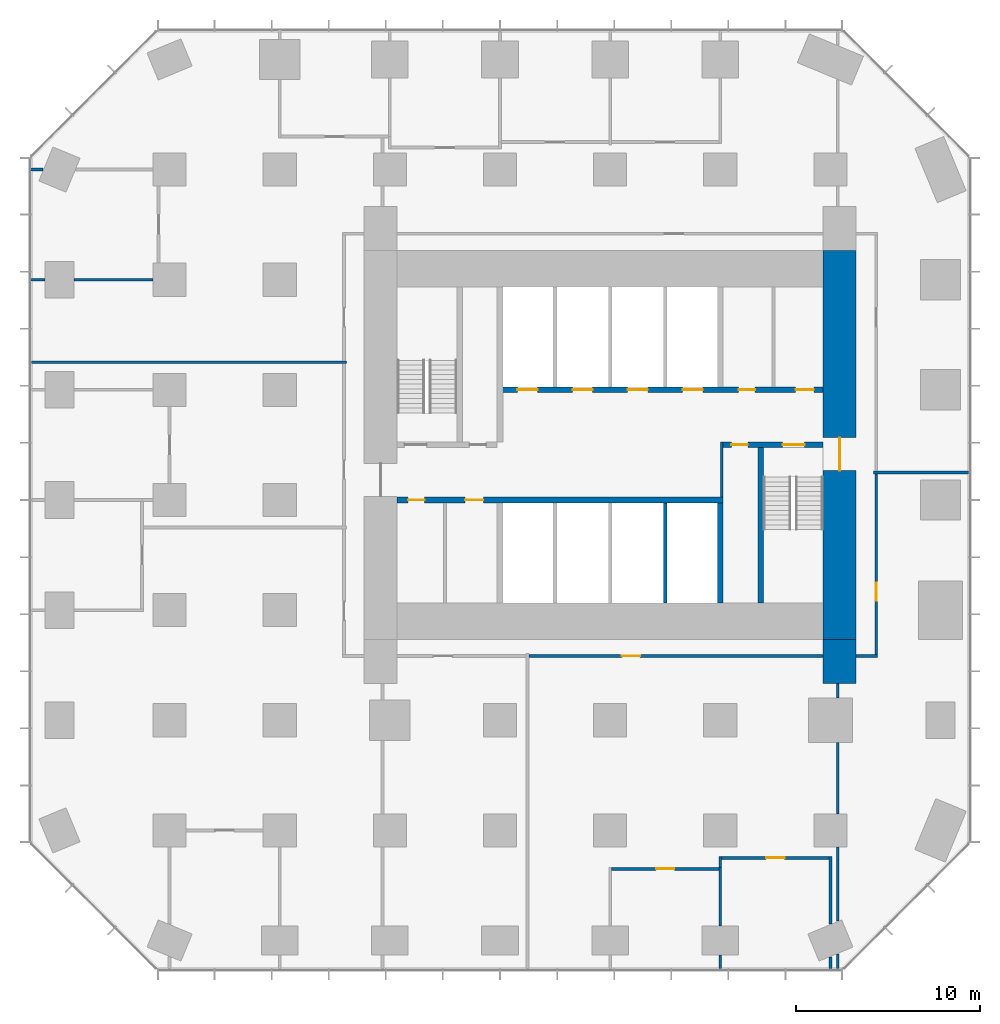
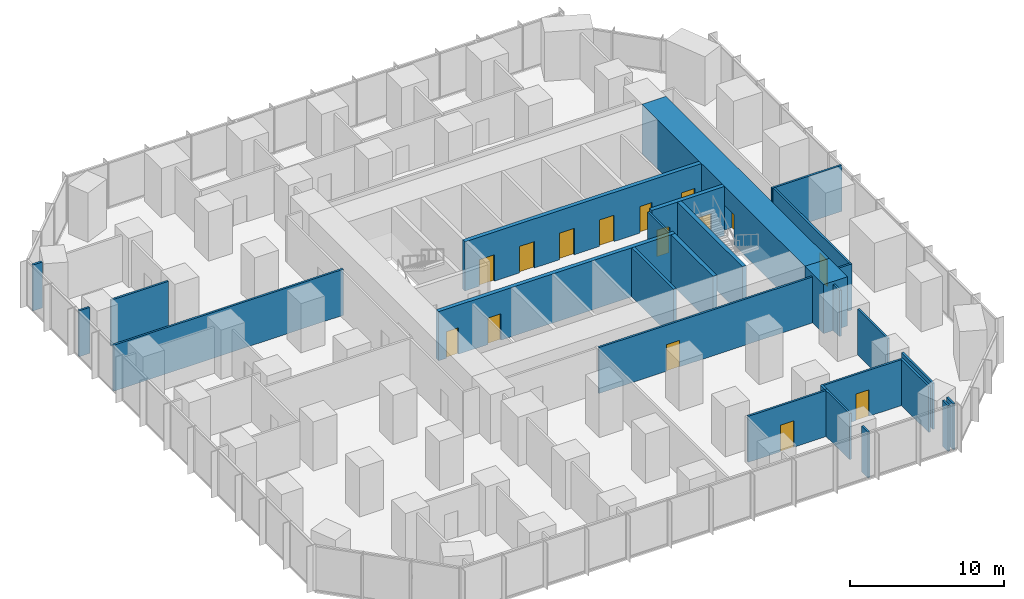
# One storey, part 9 of 12: 28 walls, 15 doors, 15 openings.
"""IFC4 building model written with IfcOpenShell, lengths in metres."""

import ifcopenshell
import ifcopenshell.guid

model = None  # the IFC model being written
_history = None  # IfcOwnerHistory: only IFC2X3 demands one
_inside = {}  # id of a spatial element -> (the spatial element, [elements in it])
_under = {}  # id of a project, library or spatial element -> (it, [spatial elements below it])
_declared = {}  # id of a project -> (the project, [libraries it declares])
_typed = {}  # id of a type object -> (the type object, [elements of that type])
_made_of = {}  # id of a material, layer set ... -> (it, [elements and type objects made of it])


def new_model(schema):
    """Start an empty IFC model of exactly this schema.

    Asked for "IFC4X3", IfcOpenShell would pick the latest addendum, in which some entities
    have other attributes; the version numbers below select the first issue.
    IFC2X3 requires an IfcOwnerHistory on every rooted entity: one is made here for all.
    """
    global model, _history
    if schema == "IFC4X3":
        model = ifcopenshell.file(schema_version=(4, 3, 0, 0))
    else:
        model = ifcopenshell.file(schema=schema)
    _inside.clear()
    _under.clear()
    _declared.clear()
    _typed.clear()
    _made_of.clear()
    _history = None
    if model.schema == "IFC2X3":
        org = make("IfcOrganization", Name="unknown")
        user = make(
            "IfcPersonAndOrganization",
            ThePerson=make("IfcPerson", FamilyName="unknown"),
            TheOrganization=org,
        )
        app = make(
            "IfcApplication",
            ApplicationDeveloper=org,
            Version="unknown",
            ApplicationFullName="unknown",
            ApplicationIdentifier="unknown",
        )
        _history = make(
            "IfcOwnerHistory",
            OwningUser=user,
            OwningApplication=app,
            ChangeAction="ADDED",
            CreationDate=0,
        )
    return model


def make(cls, **values):
    """One entity of the class cls with the attributes given. An attribute that is None is left unset."""
    return model.create_entity(
        cls, **{name: value for name, value in values.items() if value is not None}
    )


def rooted(cls, **values):
    """An entity with a GlobalId (a new one), such as an element, a storey or a relation."""
    return make(cls, GlobalId=ifcopenshell.guid.new(), OwnerHistory=_history, **values)


def si_unit(unit_type, name, prefix=None):
    """IfcSIUnit, for example si_unit("LENGTHUNIT", "METRE", prefix="MILLI")."""
    return make("IfcSIUnit", UnitType=unit_type, Prefix=prefix, Name=name)


def assignment(units):
    """IfcUnitAssignment: the units of a project."""
    return None if units is None else make("IfcUnitAssignment", Units=units)


def point(xyz):
    """IfcCartesianPoint."""
    return None if xyz is None else make("IfcCartesianPoint", Coordinates=xyz)


def direction(xyz):
    """IfcDirection."""
    return None if xyz is None else make("IfcDirection", DirectionRatios=xyz)


def frame(location, z_axis=None, x_axis=None):
    """IfcAxis2Placement3D, a coordinate frame: its origin and axes. An axis left out is left unset."""
    return make(
        "IfcAxis2Placement3D",
        Location=point(location),
        Axis=direction(z_axis),
        RefDirection=direction(x_axis),
    )


def frame_2d(location, x_axis=None):
    """IfcAxis2Placement2D, a coordinate frame in the plane: its origin and x axis."""
    return make(
        "IfcAxis2Placement2D", Location=point(location), RefDirection=direction(x_axis)
    )


def origin():
    """The frame at (0, 0, 0) with its axes left unset."""
    return frame((0.0, 0.0, 0.0))


def place(relative_to, where):
    """IfcLocalPlacement: puts the frame where relative to a parent placement (None: the world)."""
    return make(
        "IfcLocalPlacement", PlacementRelTo=relative_to, RelativePlacement=where
    )


def context(
    kind, dimensions, precision=None, world=None, true_north=None, identifier=None
):
    """IfcGeometricRepresentationContext, for example the 3D "Model" context."""
    return make(
        "IfcGeometricRepresentationContext",
        ContextIdentifier=identifier,
        ContextType=kind,
        CoordinateSpaceDimension=dimensions,
        Precision=precision,
        WorldCoordinateSystem=world,
        TrueNorth=true_north,
    )


def subcontext(parent, identifier, kind, view, scale=None):
    """IfcGeometricRepresentationSubContext, for example "Body" below "Model"."""
    return make(
        "IfcGeometricRepresentationSubContext",
        ContextIdentifier=identifier,
        ContextType=kind,
        ParentContext=parent,
        TargetScale=scale,
        TargetView=view,
    )


def project(units=None, contexts=None):
    """IfcProject with its units and contexts."""
    return rooted(
        "IfcProject",
        Name="project",
        RepresentationContexts=contexts,
        UnitsInContext=assignment(units),
    )


def spatial(cls, under=None, at=None, **own):
    """A site, building, storey or space (cls), placed at a placement, below another one or the project."""
    s = rooted(cls, ObjectPlacement=at, **own)
    if under is not None:
        _under.setdefault(under.id(), (under, []))[1].append(s)
    return s


def profile(cls, at=None, kind="AREA", **sizes):
    """A parametric profile (cls). Its sizes go by their IFC names, for example OverallWidth=200.0."""
    return make(cls, ProfileType=kind, Position=at, **sizes)


def rectangle(**sizes):
    """IfcRectangleProfileDef."""
    return profile("IfcRectangleProfileDef", **sizes)


def extrude(swept, where, along, depth):
    """IfcExtrudedAreaSolid: the profile swept, set in the frame where, extruded along a direction by depth."""
    return make(
        "IfcExtrudedAreaSolid",
        SweptArea=swept,
        Position=where,
        ExtrudedDirection=direction(along),
        Depth=depth,
    )


def shape(context_of_items, identifier, shape_type, items):
    """IfcShapeRepresentation: the items that make up one representation, for example the "Body"."""
    return make(
        "IfcShapeRepresentation",
        ContextOfItems=context_of_items,
        RepresentationIdentifier=identifier,
        RepresentationType=shape_type,
        Items=items,
    )


def material(Name=None, Category=None):
    """IfcMaterial."""
    return make("IfcMaterial", Name=Name, Category=Category)


def layer(
    of_material, thickness, ventilated=None, Name=None, Category=None, Priority=None
):
    """IfcMaterialLayer: one layer of a wall or slab, of a material (None: an air gap)."""
    return make(
        "IfcMaterialLayer",
        Material=of_material,
        LayerThickness=thickness,
        IsVentilated=ventilated,
        Name=Name,
        Category=Category,
        Priority=Priority,
    )


def layer_set(layers, Name=None):
    """IfcMaterialLayerSet."""
    return make("IfcMaterialLayerSet", MaterialLayers=layers, LayerSetName=Name)


def made_of(thing, what):
    """Note that an element or type object is made of a material, layer set ...; save() writes the relation."""
    if what is not None:
        _made_of.setdefault(what.id(), (what, []))[1].append(thing)
    return thing


def type_object(cls, material=None, **own):
    """A type object (cls), such as IfcWallType, which elements share."""
    return made_of(rooted(cls, **own), material)


def element(
    cls,
    number,
    at=None,
    inside=None,
    cuts=None,
    type_object=None,
    material=None,
    context=None,
    identifier="Body",
    shape_type=None,
    held_by="IfcProductDefinitionShape",
    body=None,
    shapes=None,
    **own,
):
    """One element of the class cls, such as IfcWall. Its Tag is "e" and its number.

    at: its placement. inside: the storey or other place that contains it. cuts: it is an
    opening in that element (IfcRelVoidsElement). A single representation is given by context,
    identifier, shape_type and body (its items); several are given by shapes. held_by: the class
    of the entity that holds the representations. save() writes the other relations.
    """
    e = rooted(cls, Tag="e%d" % number, ObjectPlacement=at, **own)
    if body is not None:
        shapes = [shape(context, identifier, shape_type, body)]
    if shapes is not None:
        e.Representation = make(held_by, Representations=shapes)
    if inside is not None:
        _inside.setdefault(inside.id(), (inside, []))[1].append(e)
    if cuts is not None:
        rooted(
            "IfcRelVoidsElement", RelatingBuildingElement=cuts, RelatedOpeningElement=e
        )
    if type_object is not None:
        _typed.setdefault(type_object.id(), (type_object, []))[1].append(e)
    return made_of(e, material)


def fill(opening, filler):
    """IfcRelFillsElement: the door or window that sits in an opening."""
    return rooted(
        "IfcRelFillsElement",
        RelatingOpeningElement=opening,
        RelatedBuildingElement=filler,
    )


def aggregate(whole, parts):
    """IfcRelAggregates: a whole, such as a stair, and the parts it consists of."""
    return rooted("IfcRelAggregates", RelatingObject=whole, RelatedObjects=parts)


def save(model, path):
    """Write the relations noted so far, then the file.

    IfcRelAggregates (storeys below a building ...), IfcRelContainedInSpatialStructure (elements
    in a storey), IfcRelDefinesByType, IfcRelAssociatesMaterial and IfcRelDeclares: one each for
    every whole, place, type object, material and project.
    """
    for whole, parts in _under.values():
        aggregate(whole, parts)
    for where, things in _inside.values():
        rooted(
            "IfcRelContainedInSpatialStructure",
            RelatedElements=things,
            RelatingStructure=where,
        )
    for kind, things in _typed.values():
        rooted("IfcRelDefinesByType", RelatedObjects=things, RelatingType=kind)
    for what, things in _made_of.values():
        rooted("IfcRelAssociatesMaterial", RelatedObjects=things, RelatingMaterial=what)
    for by, libraries in _declared.values():
        rooted("IfcRelDeclares", RelatingContext=by, RelatedDefinitions=libraries)
    model.write(path)


model = new_model("IFC4")

# Units and contexts
model_context = context("Model", 3, precision=1e-05, world=origin(), true_north=direction((0.0, 1.0)))
body_context = subcontext(model_context, "Body", "Model", "MODEL_VIEW")
ifc_project = project(units=[si_unit("LENGTHUNIT", "METRE"), si_unit("AREAUNIT", "SQUARE_METRE"), si_unit("VOLUMEUNIT", "CUBIC_METRE"), si_unit("PLANEANGLEUNIT", "RADIAN"), si_unit("MASSUNIT", "GRAM", prefix="KILO")], contexts=[model_context])

# Site, building, storey
site_placement = place(None, origin())
site = spatial("IfcSite", under=ifc_project, at=site_placement, CompositionType="ELEMENT")
building_placement = place(site_placement, origin())
building = spatial("IfcBuilding", under=site, at=building_placement, Name="Highveld Stack Headquarters", CompositionType="ELEMENT")
storey_placement = place(building_placement, frame((0.0, 0.0, 37.699951171875)))
storey = spatial("IfcBuildingStorey", under=building, at=storey_placement, Name="L08", CompositionType="ELEMENT", Elevation=37.699951171875)

# Wall, opening, door
ifc_material_1 = material(Name="Concrete C60/75", Category="concrete")
ifc_layer_1 = layer(ifc_material_1, 1.800048828125)
ifc_layer_set_1 = layer_set([ifc_layer_1], Name="Concrete C60/75")
wall_type_1 = type_object("IfcWallType", Name="CORE WALL 1800 C60/75", PredefinedType="SHEAR", material=ifc_layer_set_1)
wall_1_placement = place(storey_placement, frame((18.5, -7.60009765625, 0.0), z_axis=(0.0, 0.0, 1.0), x_axis=(0.0, 1.0, 0.0)))
wall_1 = element("IfcWall", 1, at=wall_1_placement, inside=storey, type_object=wall_type_1, Name="Core wall E L08", PredefinedType="SHEAR", context=body_context, shape_type="SweptSolid", body=[
    extrude(rectangle(XDim=21.2001953125, YDim=1.800048828125, at=frame_2d((10.60009765625, 0.0))), origin(), (0.0, 0.0, 1.0), 3.900146484375),
])
opening_1_placement = place(wall_1_placement, frame((9.199951171875, 0.0, 0.0)))
opening_1 = element("IfcOpeningElement", 2, at=opening_1_placement, cuts=wall_1, Name="Opening L08-02", PredefinedType="OPENING", context=body_context, shape_type="SweptSolid", body=[
    extrude(rectangle(XDim=1.800048828125, YDim=2.39990234375, at=frame_2d((0.89990234375, 1.199951171875))), frame((0.0, 0.909912109375, 0.0), z_axis=(0.0, -1.0, 0.0), x_axis=(1.0, 0.0, 0.0)), (0.0, 0.0, 1.0), 1.820068359375),
])
ifc_material_2 = material(Name="Steel fire door", Category="steel")
door_type_1 = type_object("IfcDoorType", Name="LOBBY FIRE DOOR D4 1800x2400", OperationType="DOUBLE_DOOR_SINGLE_SWING", PredefinedType="DOOR", material=ifc_material_2)
door_1_placement = place(opening_1_placement, origin())
door_1 = element("IfcDoor", 3, at=door_1_placement, inside=storey, type_object=door_type_1, Name="Core east door L08", OperationType="DOUBLE_DOOR_SINGLE_SWING", OverallHeight=2.39990234375, OverallWidth=1.800048828125, PredefinedType="DOOR", context=body_context, shape_type="SweptSolid", body=[
    extrude(rectangle(XDim=1.800048828125, YDim=2.39990234375, at=frame_2d((0.89990234375, 1.199951171875))), frame((0.0, 0.02490234375, 0.0), z_axis=(0.0, -1.0, 0.0), x_axis=(1.0, 0.0, 0.0)), (0.0, 0.0, 1.0), 0.050048828125),
])
fill(opening_1, door_1)

# Wall, openings, doors
ifc_material_3 = material(Name="Concrete C60/75", Category="concrete")
ifc_layer_2 = layer(ifc_material_3, 0.300048828125)
ifc_layer_set_2 = layer_set([ifc_layer_2], Name="Concrete C60/75")
wall_type_2 = type_object("IfcWallType", Name="CORE WALL 300 C60/75", PredefinedType="SHEAR", material=ifc_layer_set_2)
wall_2_placement = place(storey_placement, frame((-5.60009765625, 0.0, 0.0), z_axis=(0.0, 0.0, 1.0), x_axis=(1.0, 0.0, 0.0)))
wall_2 = element("IfcWall", 4, at=wall_2_placement, inside=storey, type_object=wall_type_2, Name="Core wall I-Y0 L08", PredefinedType="SHEAR", context=body_context, shape_type="SweptSolid", body=[
    extrude(rectangle(XDim=17.75, YDim=0.300048828125, at=frame_2d((8.875, 0.0))), origin(), (0.0, 0.0, 1.0), 3.900146484375),
])
opening_2_placement = place(wall_2_placement, frame((0.60009765625, 0.0, 0.0)))
opening_2 = element("IfcOpeningElement", 5, at=opening_2_placement, cuts=wall_2, Name="Opening L08-07", PredefinedType="OPENING", context=body_context, shape_type="SweptSolid", body=[
    extrude(rectangle(XDim=0.89990234375, YDim=2.10009765625, at=frame_2d((0.449951171875, 1.050048828125))), frame((0.0, 0.159912109375, 0.0), z_axis=(0.0, -1.0, 0.0), x_axis=(1.0, 0.0, 0.0)), (0.0, 0.0, 1.0), 0.320068359375),
])
opening_3_placement = place(wall_2_placement, frame((3.699951171875, 0.0, 0.0)))
opening_3 = element("IfcOpeningElement", 6, at=opening_3_placement, cuts=wall_2, Name="Opening L08-08", PredefinedType="OPENING", context=body_context, shape_type="SweptSolid", body=[
    extrude(rectangle(XDim=1.0, YDim=2.10009765625, at=frame_2d((0.5, 1.050048828125))), frame((0.0, 0.159912109375, 0.0), z_axis=(0.0, -1.0, 0.0), x_axis=(1.0, 0.0, 0.0)), (0.0, 0.0, 1.0), 0.320068359375),
])
ifc_material_4 = material(Name="Steel fire door", Category="steel")
door_type_2 = type_object("IfcDoorType", Name="CORE ROOM FIRE DOOR D14 1000x2100", OperationType="SINGLE_SWING_LEFT", PredefinedType="DOOR", material=ifc_material_4)
door_2_placement = place(opening_3_placement, origin())
door_2 = element("IfcDoor", 7, at=door_2_placement, inside=storey, type_object=door_type_2, Name="Cleaners store door L08", OperationType="SINGLE_SWING_LEFT", OverallHeight=2.10009765625, OverallWidth=1.0, PredefinedType="DOOR", context=body_context, shape_type="SweptSolid", body=[
    extrude(rectangle(XDim=1.0, YDim=2.10009765625, at=frame_2d((0.5, 1.050048828125))), frame((0.0, 0.02490234375, 0.0), z_axis=(0.0, -1.0, 0.0), x_axis=(1.0, 0.0, 0.0)), (0.0, 0.0, 1.0), 0.050048828125),
])
fill(opening_3, door_2)
ifc_material_5 = material(Name="Timber door, painted", Category="wood")
door_type_3 = type_object("IfcDoorType", Name="WC DOOR D1 900x2100", OperationType="SINGLE_SWING_LEFT", PredefinedType="DOOR", material=ifc_material_5)
door_3_placement = place(opening_2_placement, origin())
door_3 = element("IfcDoor", 8, at=door_3_placement, inside=storey, type_object=door_type_3, Name="Female WC door L08", OperationType="SINGLE_SWING_LEFT", OverallHeight=2.10009765625, OverallWidth=0.89990234375, PredefinedType="DOOR", context=body_context, shape_type="SweptSolid", body=[
    extrude(rectangle(XDim=0.89990234375, YDim=2.10009765625, at=frame_2d((0.449951171875, 1.050048828125))), frame((0.0, 0.02490234375, 0.0), z_axis=(0.0, -1.0, 0.0), x_axis=(1.0, 0.0, 0.0)), (0.0, 0.0, 1.0), 0.050048828125),
])
fill(opening_2, door_3)

wall_3_placement = place(storey_placement, frame((12.14990234375, 3.0, 0.0), z_axis=(0.0, 0.0, 1.0), x_axis=(1.0, 0.0, 0.0)))
wall_3 = element("IfcWall", 9, at=wall_3_placement, inside=storey, type_object=wall_type_2, Name="Core wall I-Y3E L08", PredefinedType="SHEAR", context=body_context, shape_type="SweptSolid", body=[
    extrude(rectangle(XDim=5.4501953125, YDim=0.300048828125, at=frame_2d((2.72509765625, 0.0))), origin(), (0.0, 0.0, 1.0), 3.900146484375),
])
opening_4_placement = place(wall_3_placement, frame((3.25, 0.0, 0.0)))
opening_4 = element("IfcOpeningElement", 10, at=opening_4_placement, cuts=wall_3, Name="Opening L08-05", PredefinedType="OPENING", context=body_context, shape_type="SweptSolid", body=[
    extrude(rectangle(XDim=1.199951171875, YDim=2.10009765625, at=frame_2d((0.60009765625, 1.050048828125))), frame((0.0, 0.159912109375, 0.0), z_axis=(0.0, -1.0, 0.0), x_axis=(1.0, 0.0, 0.0)), (0.0, 0.0, 1.0), 0.320068359375),
])
opening_5_placement = place(wall_3_placement, frame((0.449951171875, 0.0, 0.0)))
opening_5 = element("IfcOpeningElement", 11, at=opening_5_placement, cuts=wall_3, Name="Opening L08-06", PredefinedType="OPENING", context=body_context, shape_type="SweptSolid", body=[
    extrude(rectangle(XDim=0.89990234375, YDim=2.10009765625, at=frame_2d((0.449951171875, 1.050048828125))), frame((0.0, 0.159912109375, 0.0), z_axis=(0.0, -1.0, 0.0), x_axis=(1.0, 0.0, 0.0)), (0.0, 0.0, 1.0), 0.320068359375),
])
ifc_material_6 = material(Name="Steel fire door", Category="steel")
door_type_4 = type_object("IfcDoorType", Name="RISER ACCESS DOOR D5 900x2100", OperationType="SINGLE_SWING_LEFT", PredefinedType="DOOR", material=ifc_material_6)
door_4_placement = place(opening_5_placement, origin())
door_4 = element("IfcDoor", 12, at=door_4_placement, inside=storey, type_object=door_type_4, Name="Riser R2 door L08", OperationType="SINGLE_SWING_LEFT", OverallHeight=2.10009765625, OverallWidth=0.89990234375, PredefinedType="DOOR", context=body_context, shape_type="SweptSolid", body=[
    extrude(rectangle(XDim=0.89990234375, YDim=2.10009765625, at=frame_2d((0.449951171875, 1.050048828125))), frame((0.0, 0.02490234375, 0.0), z_axis=(0.0, -1.0, 0.0), x_axis=(1.0, 0.0, 0.0)), (0.0, 0.0, 1.0), 0.050048828125),
])
fill(opening_5, door_4)
ifc_material_7 = material(Name="Steel fire door", Category="steel")
door_type_5 = type_object("IfcDoorType", Name="STAIR FIRE DOOR D3 1200x2100", OperationType="SINGLE_SWING_LEFT", PredefinedType="DOOR", material=ifc_material_7)
door_5_placement = place(opening_4_placement, origin())
door_5 = element("IfcDoor", 13, at=door_5_placement, inside=storey, type_object=door_type_5, Name="Stair S2 door L08", OperationType="SINGLE_SWING_RIGHT", OverallHeight=2.10009765625, OverallWidth=1.199951171875, PredefinedType="DOOR", context=body_context, shape_type="SweptSolid", body=[
    extrude(rectangle(XDim=1.199951171875, YDim=2.10009765625, at=frame_2d((0.60009765625, 1.050048828125))), frame((0.0, 0.02490234375, 0.0), z_axis=(0.0, -1.0, 0.0), x_axis=(1.0, 0.0, 0.0)), (0.0, 0.0, 1.0), 0.050048828125),
])
fill(opening_4, door_5)

wall_4_placement = place(storey_placement, frame((-0.14990234375, 6.0, 0.0), z_axis=(0.0, 0.0, 1.0), x_axis=(1.0, 0.0, 0.0)))
wall_4 = element("IfcWall", 14, at=wall_4_placement, inside=storey, type_object=wall_type_2, Name="Core wall I-Y6 L08", PredefinedType="SHEAR", context=body_context, shape_type="SweptSolid", body=[
    extrude(rectangle(XDim=17.75, YDim=0.300048828125, at=frame_2d((8.875, 0.0))), origin(), (0.0, 0.0, 1.0), 3.900146484375),
])
opening_6_placement = place(wall_4_placement, frame((13.14990234375, 0.0, 0.0)))
opening_6 = element("IfcOpeningElement", 15, at=opening_6_placement, cuts=wall_4, Name="Opening L08-09", PredefinedType="OPENING", context=body_context, shape_type="SweptSolid", body=[
    extrude(rectangle(XDim=0.89990234375, YDim=2.10009765625, at=frame_2d((0.449951171875, 1.050048828125))), frame((0.0, 0.159912109375, 0.0), z_axis=(0.0, -1.0, 0.0), x_axis=(1.0, 0.0, 0.0)), (0.0, 0.0, 1.0), 0.320068359375),
])
opening_7_placement = place(wall_4_placement, frame((16.25, 0.0, 0.0)))
opening_7 = element("IfcOpeningElement", 16, at=opening_7_placement, cuts=wall_4, Name="Opening L08-10", PredefinedType="OPENING", context=body_context, shape_type="SweptSolid", body=[
    extrude(rectangle(XDim=1.0, YDim=2.10009765625, at=frame_2d((0.5, 1.050048828125))), frame((0.0, 0.159912109375, 0.0), z_axis=(0.0, -1.0, 0.0), x_axis=(1.0, 0.0, 0.0)), (0.0, 0.0, 1.0), 0.320068359375),
])
opening_8_placement = place(wall_4_placement, frame((1.10009765625, 0.0, 0.0)))
opening_8 = element("IfcOpeningElement", 17, at=opening_8_placement, cuts=wall_4, Name="Opening LD", PredefinedType="OPENING", context=body_context, shape_type="SweptSolid", body=[
    extrude(rectangle(XDim=1.10009765625, YDim=2.10009765625, at=frame_2d((0.550048828125, 1.050048828125))), frame((0.0, 0.159912109375, 0.0), z_axis=(0.0, -1.0, 0.0), x_axis=(1.0, 0.0, 0.0)), (0.0, 0.0, 1.0), 0.320068359375),
])
opening_9_placement = place(wall_4_placement, frame((4.10009765625, 0.0, 0.0)))
opening_9 = element("IfcOpeningElement", 18, at=opening_9_placement, cuts=wall_4, Name="Opening LD", PredefinedType="OPENING", context=body_context, shape_type="SweptSolid", body=[
    extrude(rectangle(XDim=1.10009765625, YDim=2.10009765625, at=frame_2d((0.550048828125, 1.050048828125))), frame((0.0, 0.159912109375, 0.0), z_axis=(0.0, -1.0, 0.0), x_axis=(1.0, 0.0, 0.0)), (0.0, 0.0, 1.0), 0.320068359375),
])
opening_10_placement = place(wall_4_placement, frame((7.10009765625, 0.0, 0.0)))
opening_10 = element("IfcOpeningElement", 19, at=opening_10_placement, cuts=wall_4, Name="Opening LD", PredefinedType="OPENING", context=body_context, shape_type="SweptSolid", body=[
    extrude(rectangle(XDim=1.10009765625, YDim=2.10009765625, at=frame_2d((0.550048828125, 1.050048828125))), frame((0.0, 0.159912109375, 0.0), z_axis=(0.0, -1.0, 0.0), x_axis=(1.0, 0.0, 0.0)), (0.0, 0.0, 1.0), 0.320068359375),
])
opening_11_placement = place(wall_4_placement, frame((10.10009765625, 0.0, 0.0)))
opening_11 = element("IfcOpeningElement", 20, at=opening_11_placement, cuts=wall_4, Name="Opening LD", PredefinedType="OPENING", context=body_context, shape_type="SweptSolid", body=[
    extrude(rectangle(XDim=1.10009765625, YDim=2.10009765625, at=frame_2d((0.550048828125, 1.050048828125))), frame((0.0, 0.159912109375, 0.0), z_axis=(0.0, -1.0, 0.0), x_axis=(1.0, 0.0, 0.0)), (0.0, 0.0, 1.0), 0.320068359375),
])
ifc_material_8 = material(Name="Timber door, painted", Category="wood")
door_type_6 = type_object("IfcDoorType", Name="ACCESSIBLE WC DOOR D2 1000x2100", OperationType="SINGLE_SWING_RIGHT", PredefinedType="DOOR", material=ifc_material_8)
door_6_placement = place(opening_7_placement, origin())
door_6 = element("IfcDoor", 21, at=door_6_placement, inside=storey, type_object=door_type_6, Name="Accessible WC door L08", OperationType="SINGLE_SWING_RIGHT", OverallHeight=2.10009765625, OverallWidth=1.0, PredefinedType="DOOR", context=body_context, shape_type="SweptSolid", body=[
    extrude(rectangle(XDim=1.0, YDim=2.10009765625, at=frame_2d((0.5, 1.050048828125))), frame((0.0, 0.02490234375, 0.0), z_axis=(0.0, -1.0, 0.0), x_axis=(1.0, 0.0, 0.0)), (0.0, 0.0, 1.0), 0.050048828125),
])
fill(opening_7, door_6)
ifc_material_9 = material(Name="Stainless steel lift landing door", Category="steel")
door_type_7 = type_object("IfcDoorType", Name="LIFT LANDING DOOR LD 1100x2100", OperationType="DOUBLE_DOOR_SLIDING", PredefinedType="USERDEFINED", material=ifc_material_9)
door_7_placement = place(opening_8_placement, origin())
door_7 = element("IfcDoor", 22, at=door_7_placement, inside=storey, type_object=door_type_7, Name="Lift landing door FF1 L08", ObjectType="LIFT LANDING DOOR", OperationType="DOUBLE_DOOR_SLIDING", OverallHeight=2.10009765625, OverallWidth=1.10009765625, PredefinedType="USERDEFINED", context=body_context, shape_type="SweptSolid", body=[
    extrude(rectangle(XDim=1.10009765625, YDim=2.10009765625, at=frame_2d((0.550048828125, 1.050048828125))), frame((0.0, 0.02490234375, 0.0), z_axis=(0.0, -1.0, 0.0), x_axis=(1.0, 0.0, 0.0)), (0.0, 0.0, 1.0), 0.050048828125),
])
fill(opening_8, door_7)
door_8_placement = place(opening_9_placement, origin())
door_8 = element("IfcDoor", 23, at=door_8_placement, inside=storey, type_object=door_type_7, Name="Lift landing door FF2 L08", ObjectType="LIFT LANDING DOOR", OperationType="DOUBLE_DOOR_SLIDING", OverallHeight=2.10009765625, OverallWidth=1.10009765625, PredefinedType="USERDEFINED", context=body_context, shape_type="SweptSolid", body=[
    extrude(rectangle(XDim=1.10009765625, YDim=2.10009765625, at=frame_2d((0.550048828125, 1.050048828125))), frame((0.0, 0.02490234375, 0.0), z_axis=(0.0, -1.0, 0.0), x_axis=(1.0, 0.0, 0.0)), (0.0, 0.0, 1.0), 0.050048828125),
])
fill(opening_9, door_8)
door_9_placement = place(opening_10_placement, origin())
door_9 = element("IfcDoor", 24, at=door_9_placement, inside=storey, type_object=door_type_7, Name="Lift landing door A1 L08", ObjectType="LIFT LANDING DOOR", OperationType="DOUBLE_DOOR_SLIDING", OverallHeight=2.10009765625, OverallWidth=1.10009765625, PredefinedType="USERDEFINED", context=body_context, shape_type="SweptSolid", body=[
    extrude(rectangle(XDim=1.10009765625, YDim=2.10009765625, at=frame_2d((0.550048828125, 1.050048828125))), frame((0.0, 0.02490234375, 0.0), z_axis=(0.0, -1.0, 0.0), x_axis=(1.0, 0.0, 0.0)), (0.0, 0.0, 1.0), 0.050048828125),
])
fill(opening_10, door_9)
door_10_placement = place(opening_11_placement, origin())
door_10 = element("IfcDoor", 25, at=door_10_placement, inside=storey, type_object=door_type_7, Name="Lift landing door A2 L08", ObjectType="LIFT LANDING DOOR", OperationType="DOUBLE_DOOR_SLIDING", OverallHeight=2.10009765625, OverallWidth=1.10009765625, PredefinedType="USERDEFINED", context=body_context, shape_type="SweptSolid", body=[
    extrude(rectangle(XDim=1.10009765625, YDim=2.10009765625, at=frame_2d((0.550048828125, 1.050048828125))), frame((0.0, 0.02490234375, 0.0), z_axis=(0.0, -1.0, 0.0), x_axis=(1.0, 0.0, 0.0)), (0.0, 0.0, 1.0), 0.050048828125),
])
fill(opening_11, door_10)
door_11_placement = place(opening_6_placement, origin())
door_11 = element("IfcDoor", 26, at=door_11_placement, inside=storey, type_object=door_type_3, Name="Male WC door L08", OperationType="SINGLE_SWING_RIGHT", OverallHeight=2.10009765625, OverallWidth=0.89990234375, PredefinedType="DOOR", context=body_context, shape_type="SweptSolid", body=[
    extrude(rectangle(XDim=0.89990234375, YDim=2.10009765625, at=frame_2d((0.449951171875, 1.050048828125))), frame((0.0, 0.02490234375, 0.0), z_axis=(0.0, -1.0, 0.0), x_axis=(1.0, 0.0, 0.0)), (0.0, 0.0, 1.0), 0.050048828125),
])
fill(opening_6, door_11)

# Walls
wall_5_placement = place(storey_placement, frame((12.0, -5.60009765625, 0.0), z_axis=(0.0, 0.0, 1.0), x_axis=(0.0, 1.0, 0.0)))
element("IfcWall", 27, at=wall_5_placement, inside=storey, type_object=wall_type_2, Name="Core wall I-X12S L08", PredefinedType="SHEAR", context=body_context, shape_type="SweptSolid", body=[
    extrude(rectangle(XDim=5.4501953125, YDim=0.300048828125, at=frame_2d((2.72509765625, 0.0))), origin(), (0.0, 0.0, 1.0), 3.900146484375),
])
wall_6_placement = place(storey_placement, frame((14.199951171875, -5.60009765625, 0.0), z_axis=(0.0, 0.0, 1.0), x_axis=(0.0, 1.0, 0.0)))
element("IfcWall", 28, at=wall_6_placement, inside=storey, type_object=wall_type_2, Name="Core wall I-RE L08", PredefinedType="SHEAR", context=body_context, shape_type="SweptSolid", body=[
    extrude(rectangle(XDim=8.4501953125, YDim=0.300048828125, at=frame_2d((4.22509765625, 0.0))), origin(), (0.0, 0.0, 1.0), 3.900146484375),
])
ifc_material_10 = material(Name="Concrete C60/75", Category="concrete")
ifc_layer_3 = layer(ifc_material_10, 1.800048828125)
ifc_layer_set_3 = layer_set([ifc_layer_3], Name="Concrete C60/75")
wall_type_3 = type_object("IfcWallType", Name="CORE WING WALL 1800 C60/75", PredefinedType="SHEAR", material=ifc_layer_set_3)
wall_7_placement = place(storey_placement, frame((18.5, -10.0, 0.0), z_axis=(0.0, 0.0, 1.0), x_axis=(0.0, 1.0, 0.0)))
element("IfcWall", 29, at=wall_7_placement, inside=storey, type_object=wall_type_3, Name="Core wing wall ES L08", PredefinedType="SHEAR", context=body_context, shape_type="SweptSolid", body=[
    extrude(rectangle(XDim=2.39990234375, YDim=1.800048828125, at=frame_2d((1.199951171875, 0.0))), origin(), (0.0, 0.0, 1.0), 3.900146484375),
])
ifc_material_11 = material(Name="Concrete blockwork, plastered", Category="masonry")
ifc_layer_4 = layer(ifc_material_11, 0.14990234375)
ifc_layer_set_4 = layer_set([ifc_layer_4], Name="Concrete blockwork, plastered")
wall_type_4 = type_object("IfcWallType", Name="FIRE PARTITION 150 BLOCKWORK", PredefinedType="PARTITIONING", material=ifc_layer_set_4)
wall_8_placement = place(storey_placement, frame((12.074951171875, 0.14990234375, 0.0), z_axis=(0.0, 0.0, 1.0), x_axis=(0.0, 1.0, 0.0)))
element("IfcWall", 30, at=wall_8_placement, inside=storey, type_object=wall_type_4, Name="Riser R2 enclosure L08", PredefinedType="PARTITIONING", context=body_context, shape_type="SweptSolid", body=[
    extrude(rectangle(XDim=3.0, YDim=0.14990234375, at=frame_2d((1.5, 0.0))), origin(), (0.0, 0.0, 1.0), 3.650146484375),
])
ifc_material_12 = material(Name="Concrete blockwork, fair-faced", Category="masonry")
ifc_layer_5 = layer(ifc_material_12, 0.199951171875)
ifc_layer_set_5 = layer_set([ifc_layer_5], Name="Concrete blockwork, fair-faced")
wall_type_5 = type_object("IfcWallType", Name="LIFT SHAFT ENCLOSURE WALL 200 BLOCKWORK", PredefinedType="SOLIDWALL", material=ifc_layer_set_5)
wall_9_placement = place(storey_placement, frame((9.0, -5.60009765625, 0.0), z_axis=(0.0, 0.0, 1.0), x_axis=(0.0, 1.0, 0.0)))
element("IfcWall", 31, at=wall_9_placement, inside=storey, type_object=wall_type_5, Name="Lift shaft wall L08", PredefinedType="SOLIDWALL", context=body_context, shape_type="SweptSolid", body=[
    extrude(rectangle(XDim=5.4501953125, YDim=0.199951171875, at=frame_2d((2.72509765625, 0.0))), origin(), (0.0, 0.0, 1.0), 3.900146484375),
])

# Wall, opening, door
ifc_material_13 = material(Name="Gypsum plasterboard on steel studs", Category="steel")
ifc_layer_6 = layer(ifc_material_13, 0.14990234375)
ifc_layer_set_6 = layer_set([ifc_layer_6], Name="Gypsum plasterboard on steel studs")
wall_type_6 = type_object("IfcWallType", Name="PARTITION 150 PLASTERBOARD", PredefinedType="PARTITIONING", material=ifc_layer_set_6)
wall_10_placement = place(storey_placement, frame((6.074951171875, -20.10009765625, 0.0), z_axis=(0.0, 0.0, 1.0), x_axis=(1.0, 0.0, 0.0)))
wall_10 = element("IfcWall", 32, at=wall_10_placement, inside=storey, type_object=wall_type_6, Name="Partition Focus room L08", PredefinedType="PARTITIONING", context=body_context, shape_type="SweptSolid", body=[
    extrude(rectangle(XDim=5.85009765625, YDim=0.14990234375, at=frame_2d((2.925048828125, 0.0))), origin(), (0.0, 0.0, 1.0), 3.650146484375),
])
opening_12_placement = place(wall_10_placement, frame((2.425048828125, 0.0, 0.0)))
opening_12 = element("IfcOpeningElement", 33, at=opening_12_placement, cuts=wall_10, Name="Opening L08-12", PredefinedType="OPENING", context=body_context, shape_type="SweptSolid", body=[
    extrude(rectangle(XDim=1.0, YDim=2.10009765625, at=frame_2d((0.5, 1.050048828125))), frame((0.0, 0.0849609375, 0.0), z_axis=(0.0, -1.0, 0.0), x_axis=(1.0, 0.0, 0.0)), (0.0, 0.0, 1.0), 0.169921875),
])
ifc_material_14 = material(Name="Timber door, oiled ash", Category="wood")
door_type_8 = type_object("IfcDoorType", Name="ROOM DOOR D6 1000x2100", OperationType="SINGLE_SWING_LEFT", PredefinedType="DOOR", material=ifc_material_14)
door_12_placement = place(opening_12_placement, origin())
door_12 = element("IfcDoor", 34, at=door_12_placement, inside=storey, type_object=door_type_8, Name="Focus room door 1 L08", OperationType="SINGLE_SWING_LEFT", OverallHeight=2.10009765625, OverallWidth=1.0, PredefinedType="DOOR", context=body_context, shape_type="SweptSolid", body=[
    extrude(rectangle(XDim=1.0, YDim=2.10009765625, at=frame_2d((0.5, 1.050048828125))), frame((0.0, 0.02490234375, 0.0), z_axis=(0.0, -1.0, 0.0), x_axis=(1.0, 0.0, 0.0)), (0.0, 0.0, 1.0), 0.050048828125),
])
fill(opening_12, door_12)

wall_11_placement = place(storey_placement, frame((12.074951171875, -19.5, 0.0), z_axis=(0.0, 0.0, 1.0), x_axis=(1.0, 0.0, 0.0)))
wall_11 = element("IfcWall", 35, at=wall_11_placement, inside=storey, type_object=wall_type_6, Name="Partition Quiet room L08", PredefinedType="PARTITIONING", context=body_context, shape_type="SweptSolid", body=[
    extrude(rectangle(XDim=5.85009765625, YDim=0.14990234375, at=frame_2d((2.925048828125, 0.0))), origin(), (0.0, 0.0, 1.0), 3.650146484375),
])
opening_13_placement = place(wall_11_placement, frame((2.425048828125, 0.0, 0.0)))
opening_13 = element("IfcOpeningElement", 36, at=opening_13_placement, cuts=wall_11, Name="Opening L08-13", PredefinedType="OPENING", context=body_context, shape_type="SweptSolid", body=[
    extrude(rectangle(XDim=1.0, YDim=2.10009765625, at=frame_2d((0.5, 1.050048828125))), frame((0.0, 0.0849609375, 0.0), z_axis=(0.0, -1.0, 0.0), x_axis=(1.0, 0.0, 0.0)), (0.0, 0.0, 1.0), 0.169921875),
])
door_13_placement = place(opening_13_placement, origin())
door_13 = element("IfcDoor", 37, at=door_13_placement, inside=storey, type_object=door_type_8, Name="Quiet room door 1 L08", OperationType="SINGLE_SWING_LEFT", OverallHeight=2.10009765625, OverallWidth=1.0, PredefinedType="DOOR", context=body_context, shape_type="SweptSolid", body=[
    extrude(rectangle(XDim=1.0, YDim=2.10009765625, at=frame_2d((0.5, 1.050048828125))), frame((0.0, 0.02490234375, 0.0), z_axis=(0.0, -1.0, 0.0), x_axis=(1.0, 0.0, 0.0)), (0.0, 0.0, 1.0), 0.050048828125),
])
fill(opening_13, door_13)

# Walls
wall_12_placement = place(storey_placement, frame((-25.60009765625, 12.0, 0.0), z_axis=(0.0, 0.0, 1.0), x_axis=(1.0, 0.0, 0.0)))
element("IfcWall", 38, at=wall_12_placement, inside=storey, type_object=wall_type_6, Name="Partition Video conference room L08", PredefinedType="PARTITIONING", context=body_context, shape_type="SweptSolid", body=[
    extrude(rectangle(XDim=0.800048828125, YDim=0.14990234375, at=frame_2d((0.39990234375, 0.0))), origin(), (0.0, 0.0, 1.0), 3.650146484375),
])
wall_13_placement = place(storey_placement, frame((-23.199951171875, 12.0, 0.0), z_axis=(0.0, 0.0, 1.0), x_axis=(1.0, 0.0, 0.0)))
element("IfcWall", 39, at=wall_13_placement, inside=storey, type_object=wall_type_6, Name="Partition Video conference room L08", PredefinedType="PARTITIONING", context=body_context, shape_type="SweptSolid", body=[
    extrude(rectangle(XDim=4.300048828125, YDim=0.14990234375, at=frame_2d((2.14990234375, 0.0))), origin(), (0.0, 0.0, 1.0), 3.650146484375),
])
wall_14_placement = place(storey_placement, frame((-25.60009765625, 18.0, 0.0), z_axis=(0.0, 0.0, 1.0), x_axis=(1.0, 0.0, 0.0)))
element("IfcWall", 40, at=wall_14_placement, inside=storey, type_object=wall_type_6, Name="Partition Video conference room L08", PredefinedType="PARTITIONING", context=body_context, shape_type="SweptSolid", body=[
    extrude(rectangle(XDim=0.703125, YDim=0.14990234375, at=frame_2d((0.3515625, 0.0))), origin(), (0.0, 0.0, 1.0), 3.650146484375),
])
wall_15_placement = place(storey_placement, frame((12.0, -25.60009765625, 0.0), z_axis=(0.0, 0.0, 1.0), x_axis=(0.0, 1.0, 0.0)))
element("IfcWall", 41, at=wall_15_placement, inside=storey, type_object=wall_type_6, Name="Partition Focus room / Quiet room L08", PredefinedType="PARTITIONING", context=body_context, shape_type="SweptSolid", body=[
    extrude(rectangle(XDim=0.800048828125, YDim=0.14990234375, at=frame_2d((0.39990234375, 0.0))), origin(), (0.0, 0.0, 1.0), 3.650146484375),
])
wall_16_placement = place(storey_placement, frame((12.0, -23.199951171875, 0.0), z_axis=(0.0, 0.0, 1.0), x_axis=(0.0, 1.0, 0.0)))
element("IfcWall", 42, at=wall_16_placement, inside=storey, type_object=wall_type_6, Name="Partition Focus room / Quiet room L08", PredefinedType="PARTITIONING", context=body_context, shape_type="SweptSolid", body=[
    extrude(rectangle(XDim=3.175048828125, YDim=0.14990234375, at=frame_2d((1.58740234375, 0.0))), origin(), (0.0, 0.0, 1.0), 3.650146484375),
])
wall_17_placement = place(storey_placement, frame((12.0, -20.02490234375, 0.0), z_axis=(0.0, 0.0, 1.0), x_axis=(0.0, 1.0, 0.0)))
element("IfcWall", 43, at=wall_17_placement, inside=storey, type_object=wall_type_6, Name="Partition Quiet room L08", PredefinedType="PARTITIONING", context=body_context, shape_type="SweptSolid", body=[
    extrude(rectangle(XDim=0.599853515625, YDim=0.14990234375, at=frame_2d((0.2998046875, 0.0))), origin(), (0.0, 0.0, 1.0), 3.650146484375),
])
wall_18_placement = place(storey_placement, frame((18.0, -25.60009765625, 0.0), z_axis=(0.0, 0.0, 1.0), x_axis=(0.0, 1.0, 0.0)))
element("IfcWall", 44, at=wall_18_placement, inside=storey, type_object=wall_type_6, Name="Partition Quiet room L08", PredefinedType="PARTITIONING", context=body_context, shape_type="SweptSolid", body=[
    extrude(rectangle(XDim=0.703125, YDim=0.14990234375, at=frame_2d((0.3515625, 0.0))), origin(), (0.0, 0.0, 1.0), 3.650146484375),
])
wall_19_placement = place(storey_placement, frame((18.0, -23.10302734375, 0.0), z_axis=(0.0, 0.0, 1.0), x_axis=(0.0, 1.0, 0.0)))
element("IfcWall", 45, at=wall_19_placement, inside=storey, type_object=wall_type_6, Name="Partition Quiet room L08", PredefinedType="PARTITIONING", context=body_context, shape_type="SweptSolid", body=[
    extrude(rectangle(XDim=3.677978515625, YDim=0.14990234375, at=frame_2d((1.8388671875, 0.0))), origin(), (0.0, 0.0, 1.0), 3.650146484375),
])
wall_20_placement = place(storey_placement, frame((-25.60009765625, 7.5, 0.0), z_axis=(0.0, 0.0, 1.0), x_axis=(1.0, 0.0, 0.0)))
element("IfcWall", 46, at=wall_20_placement, inside=storey, type_object=wall_type_6, Name="Partition office neighbourhood L08", PredefinedType="PARTITIONING", context=body_context, shape_type="SweptSolid", body=[
    extrude(rectangle(XDim=17.25, YDim=0.14990234375, at=frame_2d((8.625, 0.0))), origin(), (0.0, 0.0, 1.0), 3.650146484375),
])

# Wall, opening, door
wall_21_placement = place(storey_placement, frame((17.60009765625, -8.5, 0.0), z_axis=(0.0, 0.0, 1.0), x_axis=(-1.0, 0.0, 0.0)))
wall_21 = element("IfcWall", 47, at=wall_21_placement, inside=storey, type_object=wall_type_6, Name="Partition office neighbourhood L08", PredefinedType="PARTITIONING", context=body_context, shape_type="SweptSolid", body=[
    extrude(rectangle(XDim=16.025146484375, YDim=0.14990234375, at=frame_2d((8.0126953125, 0.0))), origin(), (0.0, 0.0, 1.0), 3.650146484375),
])
opening_14_placement = place(wall_21_placement, frame((9.965087890625, 0.0, 0.0)))
opening_14 = element("IfcOpeningElement", 48, at=opening_14_placement, cuts=wall_21, Name="Opening L08-27", PredefinedType="OPENING", context=body_context, shape_type="SweptSolid", body=[
    extrude(rectangle(XDim=1.0, YDim=2.10009765625, at=frame_2d((0.5, 1.050048828125))), frame((0.0, 0.0849609375, 0.0), z_axis=(0.0, -1.0, 0.0), x_axis=(1.0, 0.0, 0.0)), (0.0, 0.0, 1.0), 0.169921875),
])
door_14_placement = place(opening_14_placement, origin())
door_14 = element("IfcDoor", 49, at=door_14_placement, inside=storey, type_object=door_type_8, Name="Office neighbourhood door L08", OperationType="SINGLE_SWING_RIGHT", OverallHeight=2.10009765625, OverallWidth=1.0, PredefinedType="DOOR", context=body_context, shape_type="SweptSolid", body=[
    extrude(rectangle(XDim=1.0, YDim=2.10009765625, at=frame_2d((0.5, 1.050048828125))), frame((0.0, 0.02490234375, 0.0), z_axis=(0.0, -1.0, 0.0), x_axis=(1.0, 0.0, 0.0)), (0.0, 0.0, 1.0), 0.050048828125),
])
fill(opening_14, door_14)

# Walls
wall_22_placement = place(storey_placement, frame((18.39990234375, -25.60009765625, 0.0), z_axis=(0.0, 0.0, 1.0), x_axis=(0.0, 1.0, 0.0)))
element("IfcWall", 50, at=wall_22_placement, inside=storey, type_object=wall_type_6, Name="Partition office neighbourhood L08", PredefinedType="PARTITIONING", context=body_context, shape_type="SweptSolid", body=[
    extrude(rectangle(XDim=0.868896484375, YDim=0.14990234375, at=frame_2d((0.4345703125, 0.0))), origin(), (0.0, 0.0, 1.0), 3.650146484375),
])
wall_23_placement = place(storey_placement, frame((18.39990234375, -22.937255859375, 0.0), z_axis=(0.0, 0.0, 1.0), x_axis=(0.0, 1.0, 0.0)))
element("IfcWall", 51, at=wall_23_placement, inside=storey, type_object=wall_type_6, Name="Partition office neighbourhood L08", PredefinedType="PARTITIONING", context=body_context, shape_type="SweptSolid", body=[
    extrude(rectangle(XDim=4.037353515625, YDim=0.14990234375, at=frame_2d((2.0185546875, 0.0))), origin(), (0.0, 0.0, 1.0), 3.650146484375),
])
wall_24_placement = place(storey_placement, frame((18.39990234375, -17.10009765625, 0.0), z_axis=(0.0, 0.0, 1.0), x_axis=(0.0, 1.0, 0.0)))
element("IfcWall", 52, at=wall_24_placement, inside=storey, type_object=wall_type_6, Name="Partition office neighbourhood L08", PredefinedType="PARTITIONING", context=body_context, shape_type="SweptSolid", body=[
    extrude(rectangle(XDim=3.900146484375, YDim=0.14990234375, at=frame_2d((1.9501953125, 0.0))), origin(), (0.0, 0.0, 1.0), 3.650146484375),
])
wall_25_placement = place(storey_placement, frame((18.39990234375, -10.800048828125, 0.0), z_axis=(0.0, 0.0, 1.0), x_axis=(0.0, 1.0, 0.0)))
element("IfcWall", 53, at=wall_25_placement, inside=storey, type_object=wall_type_6, Name="Partition office neighbourhood L08", PredefinedType="PARTITIONING", context=body_context, shape_type="SweptSolid", body=[
    extrude(rectangle(XDim=0.800048828125, YDim=0.14990234375, at=frame_2d((0.39990234375, 0.0))), origin(), (0.0, 0.0, 1.0), 3.650146484375),
])
wall_26_placement = place(storey_placement, frame((19.39990234375, -8.5, 0.0), z_axis=(0.0, 0.0, 1.0), x_axis=(1.0, 0.0, 0.0)))
element("IfcWall", 54, at=wall_26_placement, inside=storey, type_object=wall_type_6, Name="Partition office neighbourhood L08", PredefinedType="PARTITIONING", context=body_context, shape_type="SweptSolid", body=[
    extrude(rectangle(XDim=1.175048828125, YDim=0.14990234375, at=frame_2d((0.58740234375, 0.0))), origin(), (0.0, 0.0, 1.0), 3.650146484375),
])

# Wall, opening, door
wall_27_placement = place(storey_placement, frame((20.5, -8.425048828125, 0.0), z_axis=(0.0, 0.0, 1.0), x_axis=(0.0, 1.0, 0.0)))
wall_27 = element("IfcWall", 55, at=wall_27_placement, inside=storey, type_object=wall_type_6, Name="Partition office neighbourhood L08", PredefinedType="PARTITIONING", context=body_context, shape_type="SweptSolid", body=[
    extrude(rectangle(XDim=9.85009765625, YDim=0.14990234375, at=frame_2d((4.925048828125, 0.0))), origin(), (0.0, 0.0, 1.0), 3.650146484375),
])
opening_15_placement = place(wall_27_placement, frame((2.925048828125, 0.0, 0.0)))
opening_15 = element("IfcOpeningElement", 56, at=opening_15_placement, cuts=wall_27, Name="Opening L08-22", PredefinedType="OPENING", context=body_context, shape_type="SweptSolid", body=[
    extrude(rectangle(XDim=1.0, YDim=2.10009765625, at=frame_2d((0.5, 1.050048828125))), frame((0.0, 0.0849609375, 0.0), z_axis=(0.0, -1.0, 0.0), x_axis=(1.0, 0.0, 0.0)), (0.0, 0.0, 1.0), 0.169921875),
])
door_15_placement = place(opening_15_placement, origin())
door_15 = element("IfcDoor", 57, at=door_15_placement, inside=storey, type_object=door_type_8, Name="Office neighbourhood door L08", OperationType="SINGLE_SWING_LEFT", OverallHeight=2.10009765625, OverallWidth=1.0, PredefinedType="DOOR", context=body_context, shape_type="SweptSolid", body=[
    extrude(rectangle(XDim=1.0, YDim=2.10009765625, at=frame_2d((0.5, 1.050048828125))), frame((0.0, 0.02490234375, 0.0), z_axis=(0.0, -1.0, 0.0), x_axis=(1.0, 0.0, 0.0)), (0.0, 0.0, 1.0), 0.050048828125),
])
fill(opening_15, door_15)

# Wall
wall_28_placement = place(storey_placement, frame((20.35009765625, 1.5, 0.0), z_axis=(0.0, 0.0, 1.0), x_axis=(1.0, 0.0, 0.0)))
element("IfcWall", 58, at=wall_28_placement, inside=storey, type_object=wall_type_6, Name="Partition office neighbourhood L08", PredefinedType="PARTITIONING", context=body_context, shape_type="SweptSolid", body=[
    extrude(rectangle(XDim=5.25, YDim=0.14990234375, at=frame_2d((2.625, 0.0))), origin(), (0.0, 0.0, 1.0), 3.650146484375),
])

save(model, "model.ifc")
